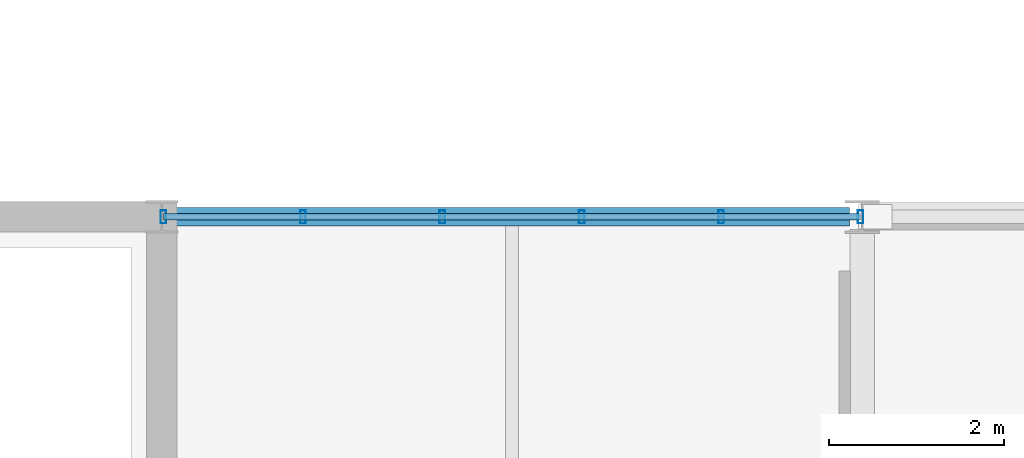
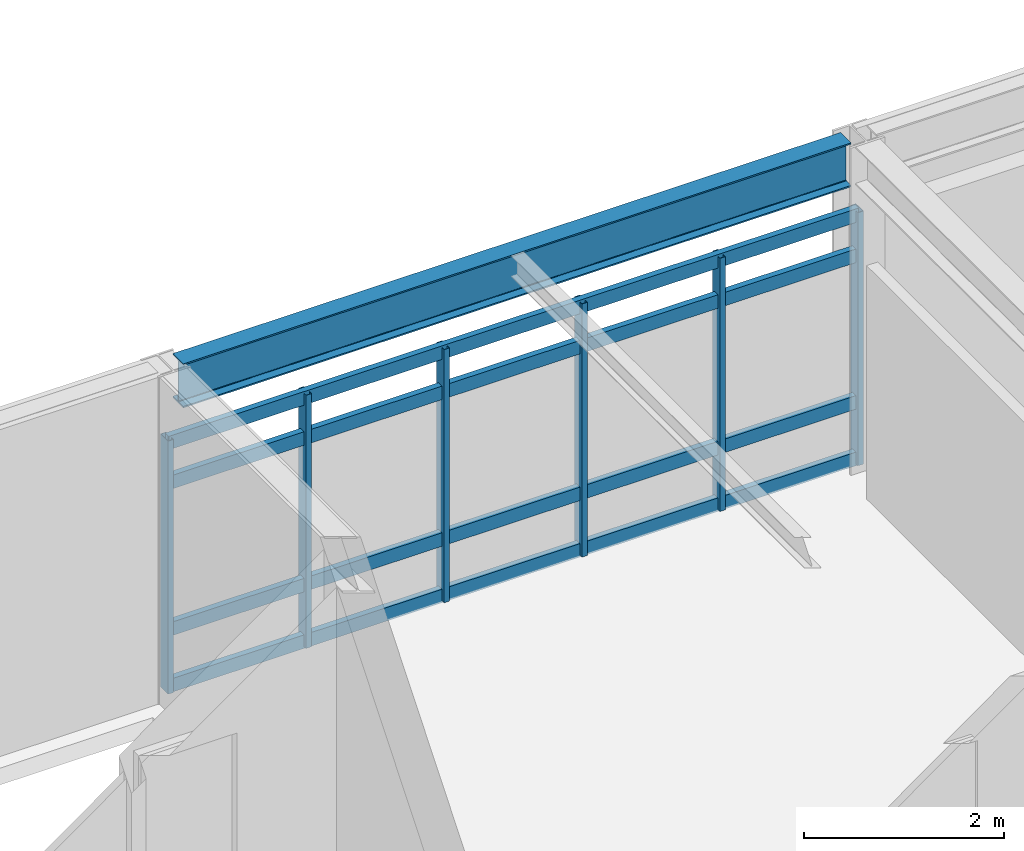
# One storey, part 26 of 85: 10 members, 1 beam, 1 element without a shape of its own.
"""IFC4 building model written with IfcOpenShell, lengths in metres."""

from ifc_helpers import new_model, si_unit, direction, frame, origin, origin_2d, place, context, subcontext, project, spatial, hollow_rectangle, i_section, extrude, material, material_profile, profile_set, type_object, element, aggregate, save


model = new_model("IFC4")

# Units and contexts
model_context = context("Model", 3, precision=1e-05, world=origin(), true_north=direction((0.0, 1.0)))
body_context = subcontext(model_context, "Body", "Model", "MODEL_VIEW")
ifc_project = project(units=[si_unit("LENGTHUNIT", "METRE"), si_unit("AREAUNIT", "SQUARE_METRE"), si_unit("VOLUMEUNIT", "CUBIC_METRE"), si_unit("PLANEANGLEUNIT", "RADIAN"), si_unit("MASSUNIT", "GRAM", prefix="KILO")], contexts=[model_context])

# Site, building, storey
site_placement = place(None, origin())
site = spatial("IfcSite", under=ifc_project, at=site_placement, CompositionType="ELEMENT")
building_placement = place(site_placement, origin())
building = spatial("IfcBuilding", under=site, at=building_placement, Name="Zulena Civic Courthouse", CompositionType="ELEMENT")
storey_placement = place(building_placement, frame((0.0, 0.0, 25.199951171875)))
storey = spatial("IfcBuildingStorey", under=building, at=storey_placement, Name="L05", CompositionType="ELEMENT", Elevation=25.199951171875)

# Curtain wall, members
ifc_material_1 = material(Name="Double-silver low-E laminated solar-control glass", Category="glass")
curtain_wall_type = type_object("IfcCurtainWallType", Name="CW_7964x3090", PredefinedType="USERDEFINED", material=ifc_material_1)
curtain_wall_placement = place(storey_placement, origin())
curtain_wall = element("IfcCurtainWall", 1, at=curtain_wall_placement, inside=storey, type_object=curtain_wall_type, Name="cw:V2:L05:1:3", ObjectType="UNITISED CURTAIN WALL", PredefinedType="USERDEFINED")
ifc_material_2 = material(Name="Bronze anodised thermally broken aluminium AA6063-T6", Category="aluminium")
ifc_material_profile_1 = material_profile(ifc_material_2, hollow_rectangle(XDim=0.06494140625, YDim=0.14990234375, WallThickness=0.00390625, at=origin_2d()), Name="CWM150X65X4")
ifc_profile_set_1 = profile_set([ifc_material_profile_1], Name="Bronze anodised thermally broken aluminium AA6063-T6")
member_type_1 = type_object("IfcMemberType", Name="CWMullion_150x65", PredefinedType="MULLION", material=ifc_profile_set_1)
member_1_placement = place(storey_placement, frame((28.01806640625, 22.800048828125, 0.0), z_axis=(0.0, 0.0, 1.0), x_axis=(1.0, 0.0, 0.0)))
member_1 = element("IfcMember", 2, at=member_1_placement, type_object=member_type_1, Name="cw:V2:L05:1:3:mull:0", PredefinedType="MULLION", context=body_context, shape_type="SweptSolid", body=[
    extrude(hollow_rectangle(XDim=0.06494140625, YDim=0.14990234375, WallThickness=0.00390625, at=origin_2d()), origin(), (0.0, 0.0, 1.0), 3.090087890625),
])
member_2_placement = place(storey_placement, frame((29.61083984375, 22.800048828125, 0.0), z_axis=(0.0, 0.0, 1.0), x_axis=(1.0, 0.0, 0.0)))
member_2 = element("IfcMember", 3, at=member_2_placement, type_object=member_type_1, Name="cw:V2:L05:1:3:mull:1", PredefinedType="MULLION", context=body_context, shape_type="SweptSolid", body=[
    extrude(hollow_rectangle(XDim=0.06494140625, YDim=0.14990234375, WallThickness=0.00390625, at=origin_2d()), origin(), (0.0, 0.0, 1.0), 3.090087890625),
])
member_3_placement = place(storey_placement, frame((31.20361328125, 22.800048828125, 0.0), z_axis=(0.0, 0.0, 1.0), x_axis=(1.0, 0.0, 0.0)))
member_3 = element("IfcMember", 4, at=member_3_placement, type_object=member_type_1, Name="cw:V2:L05:1:3:mull:2", PredefinedType="MULLION", context=body_context, shape_type="SweptSolid", body=[
    extrude(hollow_rectangle(XDim=0.06494140625, YDim=0.14990234375, WallThickness=0.00390625, at=origin_2d()), origin(), (0.0, 0.0, 1.0), 3.090087890625),
])
member_4_placement = place(storey_placement, frame((32.79638671875, 22.800048828125, 0.0), z_axis=(0.0, 0.0, 1.0), x_axis=(1.0, 0.0, 0.0)))
member_4 = element("IfcMember", 5, at=member_4_placement, type_object=member_type_1, Name="cw:V2:L05:1:3:mull:3", PredefinedType="MULLION", context=body_context, shape_type="SweptSolid", body=[
    extrude(hollow_rectangle(XDim=0.06494140625, YDim=0.14990234375, WallThickness=0.00390625, at=origin_2d()), origin(), (0.0, 0.0, 1.0), 3.090087890625),
])
member_5_placement = place(storey_placement, frame((34.38916015625, 22.800048828125, 0.0), z_axis=(0.0, 0.0, 1.0), x_axis=(1.0, 0.0, 0.0)))
member_5 = element("IfcMember", 6, at=member_5_placement, type_object=member_type_1, Name="cw:V2:L05:1:3:mull:4", PredefinedType="MULLION", context=body_context, shape_type="SweptSolid", body=[
    extrude(hollow_rectangle(XDim=0.06494140625, YDim=0.14990234375, WallThickness=0.00390625, at=origin_2d()), origin(), (0.0, 0.0, 1.0), 3.090087890625),
])
member_6_placement = place(storey_placement, frame((35.98193359375, 22.800048828125, 0.0), z_axis=(0.0, 0.0, 1.0), x_axis=(1.0, 0.0, 0.0)))
member_6 = element("IfcMember", 7, at=member_6_placement, type_object=member_type_1, Name="cw:V2:L05:1:3:mull:5", PredefinedType="MULLION", context=body_context, shape_type="SweptSolid", body=[
    extrude(hollow_rectangle(XDim=0.06494140625, YDim=0.14990234375, WallThickness=0.00390625, at=origin_2d()), origin(), (0.0, 0.0, 1.0), 3.090087890625),
])
ifc_material_profile_2 = material_profile(ifc_material_2, hollow_rectangle(XDim=0.070068359375, YDim=0.1650390625, WallThickness=0.00390625, at=origin_2d()), Name="CWT165X70X4")
ifc_profile_set_2 = profile_set([ifc_material_profile_2], Name="Bronze anodised thermally broken aluminium AA6063-T6")
member_type_2 = type_object("IfcMemberType", Name="CWTransom_165x70", PredefinedType="USERDEFINED", material=ifc_profile_set_2)
member_7_placement = place(storey_placement, frame((28.01806640625, 22.800048828125, 0.06005859375), z_axis=(1.0, 0.0, 0.0), x_axis=(0.0, 1.0, 0.0)))
member_7 = element("IfcMember", 8, at=member_7_placement, type_object=member_type_2, Name="cw:V2:L05:1:3:tran:0", ObjectType="TRANSOM", PredefinedType="USERDEFINED", context=body_context, shape_type="SweptSolid", body=[
    extrude(hollow_rectangle(XDim=0.070068359375, YDim=0.1650390625, WallThickness=0.00390625, at=origin_2d()), origin(), (0.0, 0.0, 1.0), 7.9638671875),
])
member_8_placement = place(storey_placement, frame((28.01806640625, 22.800048828125, 0.75), z_axis=(1.0, 0.0, 0.0), x_axis=(0.0, 1.0, 0.0)))
member_8 = element("IfcMember", 9, at=member_8_placement, type_object=member_type_2, Name="cw:V2:L05:1:3:tran:1", ObjectType="TRANSOM", PredefinedType="USERDEFINED", context=body_context, shape_type="SweptSolid", body=[
    extrude(hollow_rectangle(XDim=0.070068359375, YDim=0.1650390625, WallThickness=0.00390625, at=origin_2d()), origin(), (0.0, 0.0, 1.0), 7.9638671875),
])
member_9_placement = place(storey_placement, frame((28.01806640625, 22.800048828125, 2.5400390625), z_axis=(1.0, 0.0, 0.0), x_axis=(0.0, 1.0, 0.0)))
member_9 = element("IfcMember", 10, at=member_9_placement, type_object=member_type_2, Name="cw:V2:L05:1:3:tran:2", ObjectType="TRANSOM", PredefinedType="USERDEFINED", context=body_context, shape_type="SweptSolid", body=[
    extrude(hollow_rectangle(XDim=0.070068359375, YDim=0.1650390625, WallThickness=0.00390625, at=origin_2d()), origin(), (0.0, 0.0, 1.0), 7.9638671875),
])
member_10_placement = place(storey_placement, frame((28.01806640625, 22.800048828125, 3.030029296875), z_axis=(1.0, 0.0, 0.0), x_axis=(0.0, 1.0, 0.0)))
member_10 = element("IfcMember", 11, at=member_10_placement, type_object=member_type_2, Name="cw:V2:L05:1:3:tran:3", ObjectType="TRANSOM", PredefinedType="USERDEFINED", context=body_context, shape_type="SweptSolid", body=[
    extrude(hollow_rectangle(XDim=0.070068359375, YDim=0.1650390625, WallThickness=0.00390625, at=origin_2d()), origin(), (0.0, 0.0, 1.0), 7.9638671875),
])
aggregate(curtain_wall, [member_1, member_2, member_3, member_4, member_5, member_6, member_7, member_8, member_9, member_10])

# Beam
ifc_material_3 = material(Name="Steel ASTM A992 Grade 50", Category="steel")
ifc_material_profile_3 = material_profile(ifc_material_3, i_section(OverallWidth=0.2099609375, OverallDepth=0.537109375, WebThickness=0.010986328125, FlangeThickness=0.017333984375, FilletRadius=0.0126953125, at=origin_2d()), Name="W21X68")
ifc_profile_set_3 = profile_set([ifc_material_profile_3], Name="Steel ASTM A992 Grade 50")
beam_type = type_object("IfcBeamType", Name="Spandrel_W21X68", PredefinedType="SPANDREL", material=ifc_profile_set_3)
beam_placement = place(storey_placement, frame((28.14501953125, 22.800048828125, 3.7265625), z_axis=(1.0, 0.0, 0.0), x_axis=(0.0, 1.0, 0.0)))
element("IfcBeam", 12, at=beam_placement, inside=storey, type_object=beam_type, Name="beam:X:V2:L05:22.8:28.0_36.0", PredefinedType="SPANDREL", context=body_context, shape_type="SweptSolid", body=[
    extrude(i_section(OverallWidth=0.2099609375, OverallDepth=0.537109375, WebThickness=0.010986328125, FlangeThickness=0.017333984375, FilletRadius=0.0126953125, at=origin_2d()), origin(), (0.0, 0.0, 1.0), 7.7099609375),
])

save(model, "model.ifc")
